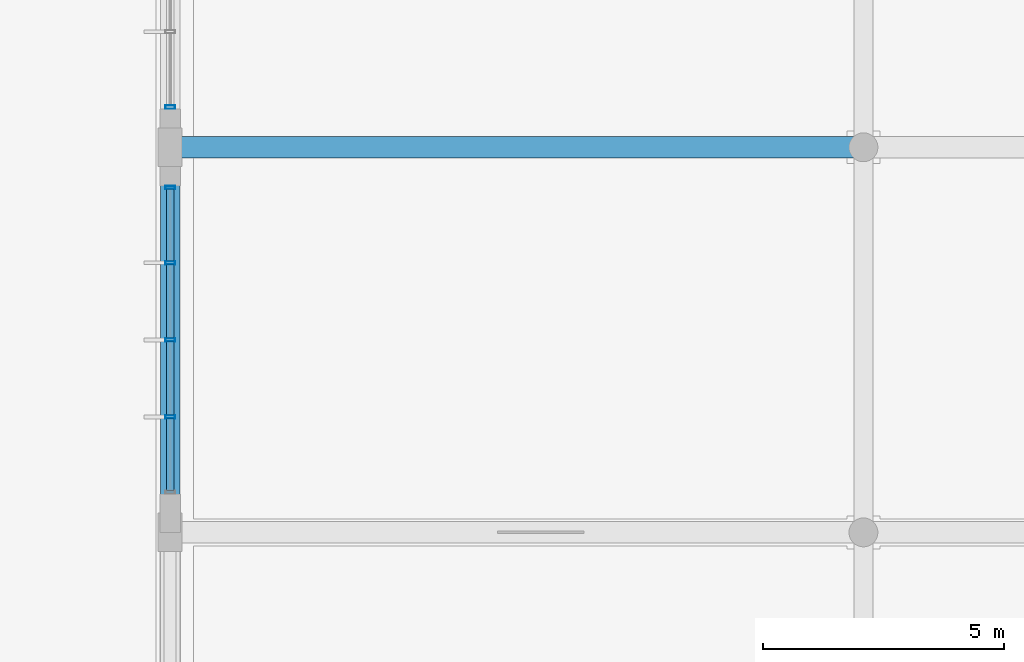
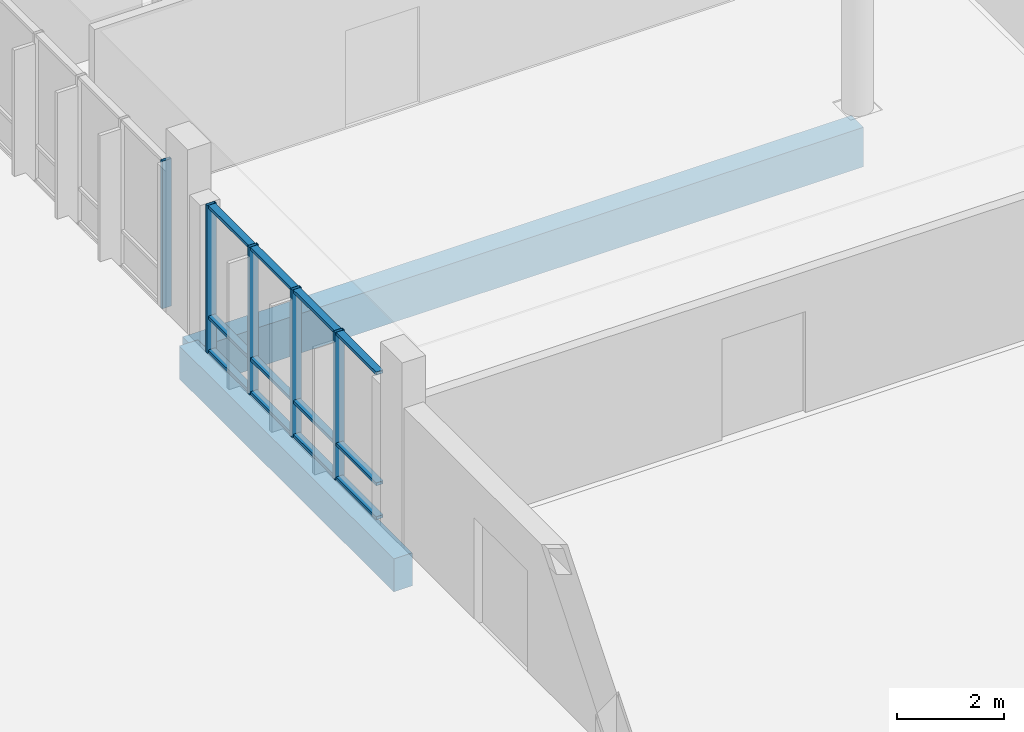
# One storey, part 92 of 233: 17 members, 2 beams, 2 elements without a shape of their own.
"""IFC4 building model written with IfcOpenShell, lengths in metres."""

from ifc_helpers import new_model, si_unit, direction, frame, origin, origin_2d, place, context, subcontext, project, spatial, rectangle, hollow_rectangle, extrude, material, material_profile, profile_set, type_object, element, aggregate, save


model = new_model("IFC4")

# Units and contexts
model_context = context("Model", 3, precision=1e-05, world=origin(), true_north=direction((0.0, 1.0)))
body_context = subcontext(model_context, "Body", "Model", "MODEL_VIEW")
ifc_project = project(units=[si_unit("LENGTHUNIT", "METRE"), si_unit("AREAUNIT", "SQUARE_METRE"), si_unit("VOLUMEUNIT", "CUBIC_METRE"), si_unit("PLANEANGLEUNIT", "RADIAN"), si_unit("MASSUNIT", "GRAM", prefix="KILO")], contexts=[model_context])

# Site, building, storey
site_placement = place(None, origin())
site = spatial("IfcSite", under=ifc_project, at=site_placement, CompositionType="ELEMENT")
building_placement = place(site_placement, origin())
building = spatial("IfcBuilding", under=site, at=building_placement, Name="Zavelmont Quarter", CompositionType="ELEMENT")
storey_placement = place(building_placement, origin())
storey = spatial("IfcBuildingStorey", under=building, at=storey_placement, Name="L00", CompositionType="ELEMENT", Elevation=0.0)

# Beams
ifc_material_1 = material(Name="Concrete C40/50", Category="concrete")
ifc_material_profile_1 = material_profile(ifc_material_1, rectangle(XDim=0.39990234375, YDim=0.75, at=origin_2d()), Name="RC400X750")
ifc_profile_set_1 = profile_set([ifc_material_profile_1], Name="Concrete C40/50")
beam_type_1 = type_object("IfcBeamType", Name="BM05", PredefinedType="BEAM", material=ifc_profile_set_1)
beam_1_placement = place(storey_placement, frame((55.199951171875, 62.0, -0.695068359375), z_axis=(0.0, 1.0, 0.0), x_axis=(-1.0, 0.0, 0.0)))
element("IfcBeam", 1, at=beam_1_placement, inside=storey, type_object=beam_type_1, Name="L00 beam BM05 9/K to 9/L", PredefinedType="BEAM", context=body_context, shape_type="SweptSolid", body=[
    extrude(rectangle(XDim=0.39990234375, YDim=0.75, at=origin_2d()), origin(), (0.0, 0.0, 1.0), 8.0),
])
ifc_material_profile_2 = material_profile(ifc_material_1, rectangle(XDim=0.449951171875, YDim=0.89990234375, at=origin_2d()), Name="RC450X900")
ifc_profile_set_2 = profile_set([ifc_material_profile_2], Name="Concrete C40/50")
beam_type_2 = type_object("IfcBeamType", Name="BM06", PredefinedType="BEAM", material=ifc_profile_set_2)
beam_2_placement = place(storey_placement, frame((55.199951171875, 70.0, -0.77001953125), z_axis=(1.0, 0.0, 0.0), x_axis=(0.0, 1.0, 0.0)))
element("IfcBeam", 2, at=beam_2_placement, inside=storey, type_object=beam_type_2, Name="L00 beam BM06 9/L to 11/L", PredefinedType="BEAM", context=body_context, shape_type="SweptSolid", body=[
    extrude(rectangle(XDim=0.449951171875, YDim=0.89990234375, at=origin_2d()), origin(), (0.0, 0.0, 1.0), 14.400146484375),
])

# Curtain wall, members
ifc_material_2 = material(Name="Thermally broken aluminium and double low-E safety glazing", Category="aluminium")
curtain_wall_type = type_object("IfcCurtainWallType", Name="CW-640X336", PredefinedType="NOTDEFINED", material=ifc_material_2)
curtain_wall_1_placement = place(storey_placement, origin())
curtain_wall_1 = element("IfcCurtainWall", 3, at=curtain_wall_1_placement, inside=storey, type_object=curtain_wall_type, Name="L00 unitised curtain wall CW-640X336", PredefinedType="NOTDEFINED")
ifc_material_3 = material(Name="Powder-coated aluminium EN AW-6063-T6", Category="aluminium")
ifc_material_profile_3 = material_profile(ifc_material_3, hollow_rectangle(XDim=0.070068359375, YDim=0.199951171875, WallThickness=0.0048828125, at=origin_2d()), Name="CWM70X200")
ifc_profile_set_3 = profile_set([ifc_material_profile_3], Name="Powder-coated aluminium EN AW-6063-T6")
member_type_1 = type_object("IfcMemberType", Name="CWM02", PredefinedType="MULLION", material=ifc_profile_set_3)
member_1_placement = place(storey_placement, frame((55.199951171875, 64.39990234375, 0.0), z_axis=(0.0, 0.0, 1.0), x_axis=(0.0, 1.0, 0.0)))
member_1 = element("IfcMember", 4, at=member_1_placement, type_object=member_type_1, Name="CW-640X336 mullion 2", PredefinedType="MULLION", context=body_context, shape_type="SweptSolid", body=[
    extrude(hollow_rectangle(XDim=0.070068359375, YDim=0.199951171875, WallThickness=0.0048828125, at=origin_2d()), origin(), (0.0, 0.0, 1.0), 3.360107421875),
])
member_2_placement = place(storey_placement, frame((55.199951171875, 66.0, 0.0), z_axis=(0.0, 0.0, 1.0), x_axis=(0.0, 1.0, 0.0)))
member_2 = element("IfcMember", 5, at=member_2_placement, type_object=member_type_1, Name="CW-640X336 mullion 3", PredefinedType="MULLION", context=body_context, shape_type="SweptSolid", body=[
    extrude(hollow_rectangle(XDim=0.070068359375, YDim=0.199951171875, WallThickness=0.0048828125, at=origin_2d()), origin(), (0.0, 0.0, 1.0), 3.360107421875),
])
member_3_placement = place(storey_placement, frame((55.199951171875, 67.60009765625, 0.0), z_axis=(0.0, 0.0, 1.0), x_axis=(0.0, 1.0, 0.0)))
member_3 = element("IfcMember", 6, at=member_3_placement, type_object=member_type_1, Name="CW-640X336 mullion 4", PredefinedType="MULLION", context=body_context, shape_type="SweptSolid", body=[
    extrude(hollow_rectangle(XDim=0.070068359375, YDim=0.199951171875, WallThickness=0.0048828125, at=origin_2d()), origin(), (0.0, 0.0, 1.0), 3.360107421875),
])
member_4_placement = place(storey_placement, frame((55.199951171875, 69.1650390625, 0.0), z_axis=(0.0, 0.0, 1.0), x_axis=(0.0, 1.0, 0.0)))
member_4 = element("IfcMember", 7, at=member_4_placement, type_object=member_type_1, Name="CW-640X336 mullion 5", PredefinedType="MULLION", context=body_context, shape_type="SweptSolid", body=[
    extrude(hollow_rectangle(XDim=0.070068359375, YDim=0.199951171875, WallThickness=0.0048828125, at=origin_2d()), origin(), (0.0, 0.0, 1.0), 3.360107421875),
])

# Curtain wall, member
curtain_wall_2_placement = place(storey_placement, origin())
curtain_wall_2 = element("IfcCurtainWall", 8, at=curtain_wall_2_placement, inside=storey, type_object=curtain_wall_type, Name="L00 unitised curtain wall CW-640X336", PredefinedType="NOTDEFINED")
member_5_placement = place(storey_placement, frame((55.199951171875, 70.8349609375, 0.0), z_axis=(0.0, 0.0, 1.0), x_axis=(0.0, 1.0, 0.0)))
member_5 = element("IfcMember", 9, at=member_5_placement, type_object=member_type_1, Name="CW-640X336 mullion 1", PredefinedType="MULLION", context=body_context, shape_type="SweptSolid", body=[
    extrude(hollow_rectangle(XDim=0.070068359375, YDim=0.199951171875, WallThickness=0.0048828125, at=origin_2d()), origin(), (0.0, 0.0, 1.0), 3.360107421875),
])
aggregate(curtain_wall_2, [member_5])

# Member
ifc_material_profile_4 = material_profile(ifc_material_3, hollow_rectangle(XDim=0.14990234375, YDim=0.070068359375, WallThickness=0.00439453125, at=origin_2d()), Name="CWT70X150")
ifc_profile_set_4 = profile_set([ifc_material_profile_4], Name="Powder-coated aluminium EN AW-6063-T6")
member_type_2 = type_object("IfcMemberType", Name="CWT02", PredefinedType="NOTDEFINED", material=ifc_profile_set_4)
member_6_placement = place(storey_placement, frame((55.199951171875, 62.8701171875, 0.034912109375), z_axis=(0.0, 1.0, 0.0), x_axis=(-1.0, 0.0, 0.0)))
member_6 = element("IfcMember", 10, at=member_6_placement, type_object=member_type_2, Name="CW-640X336 transom 1.1", ObjectType="TRANSOM", PredefinedType="USERDEFINED", context=body_context, shape_type="SweptSolid", body=[
    extrude(hollow_rectangle(XDim=0.14990234375, YDim=0.070068359375, WallThickness=0.00439453125, at=origin_2d()), origin(), (0.0, 0.0, 1.0), 1.494873046875),
])

member_7_placement = place(storey_placement, frame((55.199951171875, 62.8701171875, 0.805908203125), z_axis=(0.0, 1.0, 0.0), x_axis=(-1.0, 0.0, 0.0)))
member_7 = element("IfcMember", 11, at=member_7_placement, type_object=member_type_2, Name="CW-640X336 transom 1.2", ObjectType="TRANSOM", PredefinedType="USERDEFINED", context=body_context, shape_type="SweptSolid", body=[
    extrude(hollow_rectangle(XDim=0.14990234375, YDim=0.070068359375, WallThickness=0.00439453125, at=origin_2d()), origin(), (0.0, 0.0, 1.0), 1.494873046875),
])

member_8_placement = place(storey_placement, frame((55.199951171875, 62.8701171875, 3.324951171875), z_axis=(0.0, 1.0, 0.0), x_axis=(-1.0, 0.0, 0.0)))
member_8 = element("IfcMember", 12, at=member_8_placement, type_object=member_type_2, Name="CW-640X336 transom 1.3", ObjectType="TRANSOM", PredefinedType="USERDEFINED", context=body_context, shape_type="SweptSolid", body=[
    extrude(hollow_rectangle(XDim=0.14990234375, YDim=0.070068359375, WallThickness=0.00439453125, at=origin_2d()), origin(), (0.0, 0.0, 1.0), 1.494873046875),
])

member_9_placement = place(storey_placement, frame((55.199951171875, 64.43505859375, 0.034912109375), z_axis=(0.0, 1.0, 0.0), x_axis=(-1.0, 0.0, 0.0)))
member_9 = element("IfcMember", 13, at=member_9_placement, type_object=member_type_2, Name="CW-640X336 transom 2.1", ObjectType="TRANSOM", PredefinedType="USERDEFINED", context=body_context, shape_type="SweptSolid", body=[
    extrude(hollow_rectangle(XDim=0.14990234375, YDim=0.070068359375, WallThickness=0.00439453125, at=origin_2d()), origin(), (0.0, 0.0, 1.0), 1.530029296875),
])

member_10_placement = place(storey_placement, frame((55.199951171875, 64.43505859375, 0.805908203125), z_axis=(0.0, 1.0, 0.0), x_axis=(-1.0, 0.0, 0.0)))
member_10 = element("IfcMember", 14, at=member_10_placement, type_object=member_type_2, Name="CW-640X336 transom 2.2", ObjectType="TRANSOM", PredefinedType="USERDEFINED", context=body_context, shape_type="SweptSolid", body=[
    extrude(hollow_rectangle(XDim=0.14990234375, YDim=0.070068359375, WallThickness=0.00439453125, at=origin_2d()), origin(), (0.0, 0.0, 1.0), 1.530029296875),
])

member_11_placement = place(storey_placement, frame((55.199951171875, 64.43505859375, 3.324951171875), z_axis=(0.0, 1.0, 0.0), x_axis=(-1.0, 0.0, 0.0)))
member_11 = element("IfcMember", 15, at=member_11_placement, type_object=member_type_2, Name="CW-640X336 transom 2.3", ObjectType="TRANSOM", PredefinedType="USERDEFINED", context=body_context, shape_type="SweptSolid", body=[
    extrude(hollow_rectangle(XDim=0.14990234375, YDim=0.070068359375, WallThickness=0.00439453125, at=origin_2d()), origin(), (0.0, 0.0, 1.0), 1.530029296875),
])

member_12_placement = place(storey_placement, frame((55.199951171875, 66.034912109375, 0.034912109375), z_axis=(0.0, 1.0, 0.0), x_axis=(-1.0, 0.0, 0.0)))
member_12 = element("IfcMember", 16, at=member_12_placement, type_object=member_type_2, Name="CW-640X336 transom 3.1", ObjectType="TRANSOM", PredefinedType="USERDEFINED", context=body_context, shape_type="SweptSolid", body=[
    extrude(hollow_rectangle(XDim=0.14990234375, YDim=0.070068359375, WallThickness=0.00439453125, at=origin_2d()), origin(), (0.0, 0.0, 1.0), 1.530029296875),
])

member_13_placement = place(storey_placement, frame((55.199951171875, 66.034912109375, 0.805908203125), z_axis=(0.0, 1.0, 0.0), x_axis=(-1.0, 0.0, 0.0)))
member_13 = element("IfcMember", 17, at=member_13_placement, type_object=member_type_2, Name="CW-640X336 transom 3.2", ObjectType="TRANSOM", PredefinedType="USERDEFINED", context=body_context, shape_type="SweptSolid", body=[
    extrude(hollow_rectangle(XDim=0.14990234375, YDim=0.070068359375, WallThickness=0.00439453125, at=origin_2d()), origin(), (0.0, 0.0, 1.0), 1.530029296875),
])

member_14_placement = place(storey_placement, frame((55.199951171875, 66.034912109375, 3.324951171875), z_axis=(0.0, 1.0, 0.0), x_axis=(-1.0, 0.0, 0.0)))
member_14 = element("IfcMember", 18, at=member_14_placement, type_object=member_type_2, Name="CW-640X336 transom 3.3", ObjectType="TRANSOM", PredefinedType="USERDEFINED", context=body_context, shape_type="SweptSolid", body=[
    extrude(hollow_rectangle(XDim=0.14990234375, YDim=0.070068359375, WallThickness=0.00439453125, at=origin_2d()), origin(), (0.0, 0.0, 1.0), 1.530029296875),
])

member_15_placement = place(storey_placement, frame((55.199951171875, 67.635009765625, 0.034912109375), z_axis=(0.0, 1.0, 0.0), x_axis=(-1.0, 0.0, 0.0)))
member_15 = element("IfcMember", 19, at=member_15_placement, type_object=member_type_2, Name="CW-640X336 transom 4.1", ObjectType="TRANSOM", PredefinedType="USERDEFINED", context=body_context, shape_type="SweptSolid", body=[
    extrude(hollow_rectangle(XDim=0.14990234375, YDim=0.070068359375, WallThickness=0.00439453125, at=origin_2d()), origin(), (0.0, 0.0, 1.0), 1.494873046875),
])

member_16_placement = place(storey_placement, frame((55.199951171875, 67.635009765625, 0.805908203125), z_axis=(0.0, 1.0, 0.0), x_axis=(-1.0, 0.0, 0.0)))
member_16 = element("IfcMember", 20, at=member_16_placement, type_object=member_type_2, Name="CW-640X336 transom 4.2", ObjectType="TRANSOM", PredefinedType="USERDEFINED", context=body_context, shape_type="SweptSolid", body=[
    extrude(hollow_rectangle(XDim=0.14990234375, YDim=0.070068359375, WallThickness=0.00439453125, at=origin_2d()), origin(), (0.0, 0.0, 1.0), 1.494873046875),
])

member_17_placement = place(storey_placement, frame((55.199951171875, 67.635009765625, 3.324951171875), z_axis=(0.0, 1.0, 0.0), x_axis=(-1.0, 0.0, 0.0)))
member_17 = element("IfcMember", 21, at=member_17_placement, type_object=member_type_2, Name="CW-640X336 transom 4.3", ObjectType="TRANSOM", PredefinedType="USERDEFINED", context=body_context, shape_type="SweptSolid", body=[
    extrude(hollow_rectangle(XDim=0.14990234375, YDim=0.070068359375, WallThickness=0.00439453125, at=origin_2d()), origin(), (0.0, 0.0, 1.0), 1.494873046875),
])

aggregate(curtain_wall_1, [member_1, member_2, member_3, member_4, member_6, member_7, member_8, member_9, member_10, member_11, member_12, member_13, member_14, member_15, member_16, member_17])

save(model, "model.ifc")
